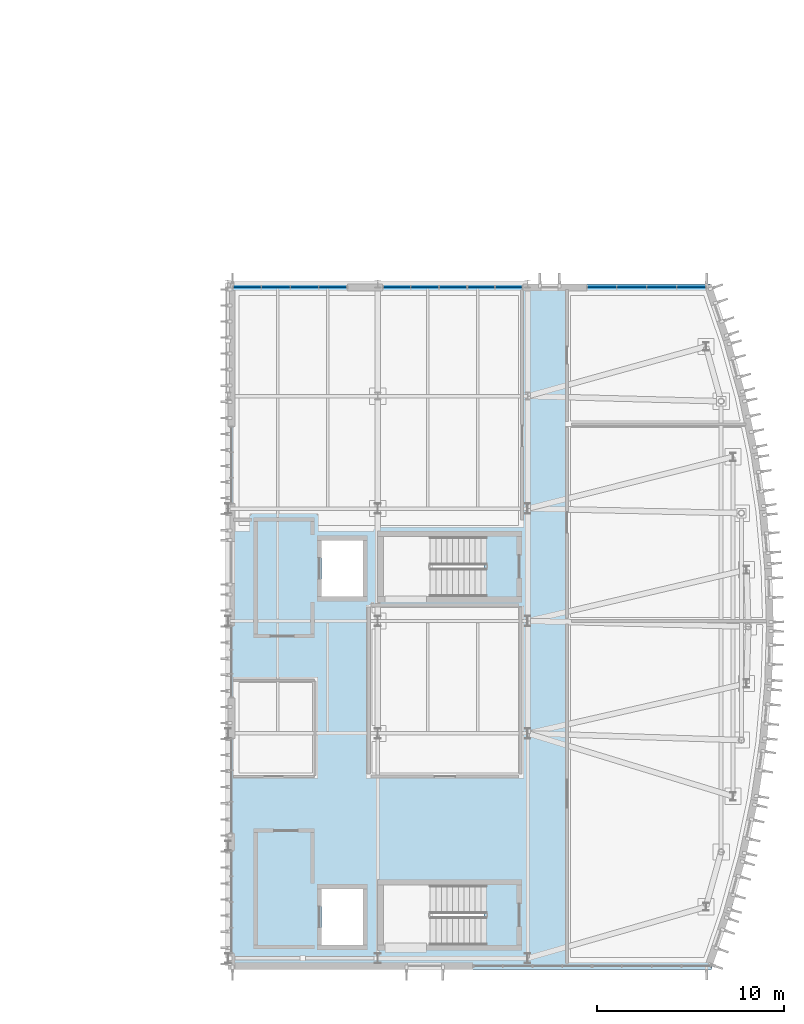
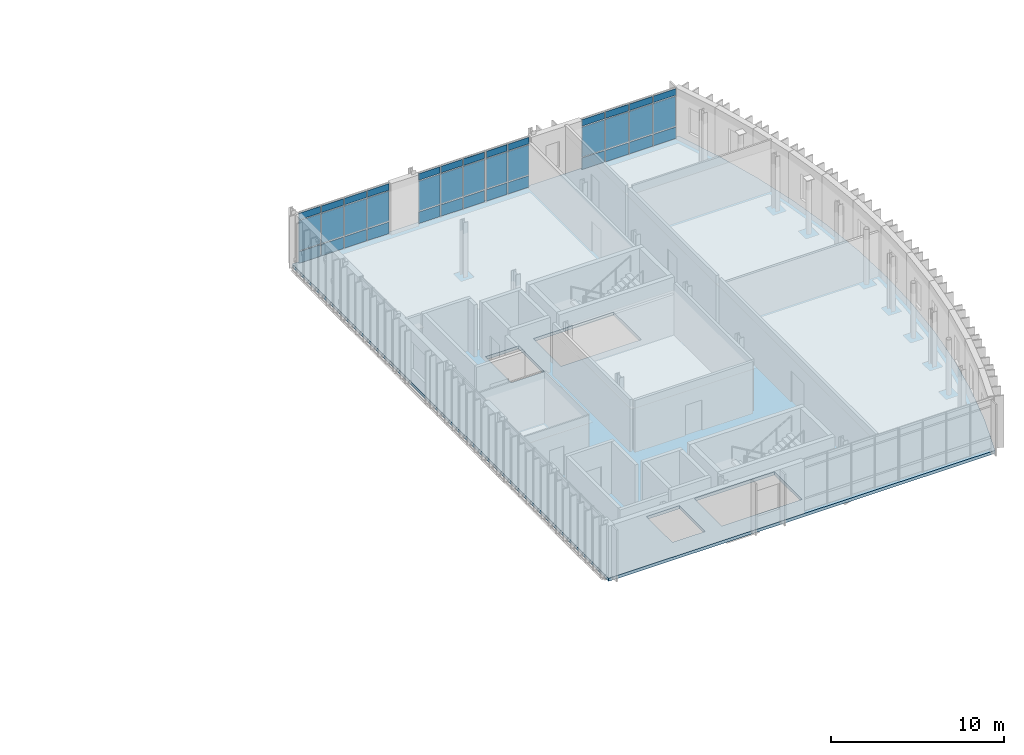
# One storey, part 20 of 43: 39 plates, 1 slab, 4 elements without a shape of their own.
"""IFC4 building model written with IfcOpenShell, lengths in metres."""

from ifc_helpers import new_model, si_unit, direction, frame, origin, origin_2d, place, context, subcontext, project, spatial, polyline, rectangle, outline, extrude, material, layer, layer_set, type_object, element, aggregate, save


model = new_model("IFC4")

# Units and contexts
model_context = context("Model", 3, precision=1e-05, world=origin(), true_north=direction((0.0, 1.0)))
body_context = subcontext(model_context, "Body", "Model", "MODEL_VIEW")
ifc_project = project(units=[si_unit("LENGTHUNIT", "METRE"), si_unit("AREAUNIT", "SQUARE_METRE"), si_unit("VOLUMEUNIT", "CUBIC_METRE"), si_unit("PLANEANGLEUNIT", "RADIAN"), si_unit("MASSUNIT", "GRAM", prefix="KILO")], contexts=[model_context])

# Site, building, storey
site_placement = place(None, origin())
site = spatial("IfcSite", under=ifc_project, at=site_placement, CompositionType="ELEMENT")
building_placement = place(site_placement, origin())
building = spatial("IfcBuilding", under=site, at=building_placement, Name="Cymarion Research Institute", CompositionType="ELEMENT")
storey_placement = place(building_placement, frame((0.0, 0.0, 22.800048828125)))
storey = spatial("IfcBuildingStorey", under=building, at=storey_placement, Name="L05", CompositionType="ELEMENT", Elevation=22.800048828125)

# Slab
ifc_material_1 = material(Name="Concrete C35/45", Category="concrete")
ifc_layer_1 = layer(ifc_material_1, 0.219970703125)
ifc_layer_set_1 = layer_set([ifc_layer_1], Name="Concrete C35/45")
slab_type = type_object("IfcSlabType", Name="COMPOSITE FLOOR SLAB SL-FL220 220MM", PredefinedType="FLOOR", material=ifc_layer_set_1)
slab_placement = place(storey_placement, frame((0.0, 0.0, -0.219970703125)))
element("IfcSlab", 1, at=slab_placement, inside=storey, type_object=slab_type, Name="L05 V1 floor slab", PredefinedType="FLOOR", context=body_context, shape_type="SweptSolid", body=[
    extrude(outline(polyline([(138.60009765625, 4.89990234375), (164.39990234375, 4.89990234375), (165.40869140625, 7.848388671875), (166.2392578125, 10.85205078125), (166.88818359375, 13.900146484375), (167.353271484375, 16.9814453125), (167.633056640625, 20.085205078125), (167.7265625, 23.199951171875), (167.633056640625, 26.31494140625), (167.353271484375, 29.418701171875), (166.88818359375, 32.5), (166.2392578125, 35.5478515625), (165.40869140625, 38.551513671875), (164.39990234375, 41.5), (138.60009765625, 41.5), (138.60009765625, 4.89990234375)]), holes=[polyline([(152.260009765625, 9.39990234375), (146.89990234375, 9.39990234375), (146.89990234375, 6.199951171875), (152.260009765625, 6.199951171875), (152.260009765625, 9.39990234375)]), polyline([(143.60009765625, 6.199951171875), (145.800048828125, 6.199951171875), (145.800048828125, 9.199951171875), (143.60009765625, 9.199951171875), (143.60009765625, 6.199951171875)]), polyline([(152.260009765625, 28.0), (146.89990234375, 28.0), (146.89990234375, 24.800048828125), (152.260009765625, 24.800048828125), (152.260009765625, 28.0)]), polyline([(143.60009765625, 24.800048828125), (145.800048828125, 24.800048828125), (145.800048828125, 27.800048828125), (143.60009765625, 27.800048828125), (143.60009765625, 24.800048828125)])]), origin(), (0.0, 0.0, 1.0), 0.219970703125),
])

# Curtain wall, plates
ifc_material_2 = material(Name="Anodised aluminium unitised curtain wall with Low-E glazing", Category="aluminium")
curtain_wall_type_1 = type_object("IfcCurtainWallType", Name="UNITISED CURTAIN WALL CW47 6390X3640", PredefinedType="NOTDEFINED", material=ifc_material_2)
curtain_wall_1_placement = place(storey_placement, origin())
curtain_wall_1 = element("IfcCurtainWall", 2, at=curtain_wall_1_placement, inside=storey, type_object=curtain_wall_type_1, Name="L05 V1 unitised curtain wall CW47 #202", PredefinedType="NOTDEFINED")
ifc_material_3 = material(Name="Insulated anodised aluminium spandrel panel", Category="aluminium")
ifc_layer_2 = layer(ifc_material_3, 0.06005859375)
ifc_layer_set_2 = layer_set([ifc_layer_2], Name="Insulated anodised aluminium spandrel panel")
plate_type_1 = type_object("IfcPlateType", Name="INSULATED ALUMINIUM SPANDREL PANEL SP01 60MM", PredefinedType="SHEET", material=ifc_layer_set_2)
plate_1_placement = place(storey_placement, frame((163.3330078125, 41.31005859375, 0.059814453125), z_axis=(0.0, 0.0, 1.0), x_axis=(-1.0, 0.0, 0.0)))
plate_1 = element("IfcPlate", 3, at=plate_1_placement, type_object=plate_type_1, Name="CW47 panel 1.1", PredefinedType="SHEET", context=body_context, shape_type="SweptSolid", body=[
    extrude(rectangle(XDim=1.506591796875, YDim=0.06005859375, at=origin_2d()), origin(), (0.0, 0.0, 1.0), 0.81005859375),
])
plate_2_placement = place(storey_placement, frame((163.3330078125, 41.31005859375, 3.119873046875), z_axis=(0.0, 0.0, 1.0), x_axis=(-1.0, 0.0, 0.0)))
plate_2 = element("IfcPlate", 4, at=plate_2_placement, type_object=plate_type_1, Name="CW47 panel 1.3", PredefinedType="SHEET", context=body_context, shape_type="SweptSolid", body=[
    extrude(rectangle(XDim=1.506591796875, YDim=0.06005859375, at=origin_2d()), origin(), (0.0, 0.0, 1.0), 0.4599609375),
])
plate_3_placement = place(storey_placement, frame((161.75146484375, 41.31005859375, 0.059814453125), z_axis=(0.0, 0.0, 1.0), x_axis=(-1.0, 0.0, 0.0)))
plate_3 = element("IfcPlate", 5, at=plate_3_placement, type_object=plate_type_1, Name="CW47 panel 2.1", PredefinedType="SHEET", context=body_context, shape_type="SweptSolid", body=[
    extrude(rectangle(XDim=1.53662109375, YDim=0.06005859375, at=origin_2d()), origin(), (0.0, 0.0, 1.0), 0.81005859375),
])
plate_4_placement = place(storey_placement, frame((161.75146484375, 41.31005859375, 3.119873046875), z_axis=(0.0, 0.0, 1.0), x_axis=(-1.0, 0.0, 0.0)))
plate_4 = element("IfcPlate", 6, at=plate_4_placement, type_object=plate_type_1, Name="CW47 panel 2.3", PredefinedType="SHEET", context=body_context, shape_type="SweptSolid", body=[
    extrude(rectangle(XDim=1.53662109375, YDim=0.06005859375, at=origin_2d()), origin(), (0.0, 0.0, 1.0), 0.4599609375),
])
plate_5_placement = place(storey_placement, frame((160.15478515625, 41.31005859375, 0.059814453125), z_axis=(0.0, 0.0, 1.0), x_axis=(-1.0, 0.0, 0.0)))
plate_5 = element("IfcPlate", 7, at=plate_5_placement, type_object=plate_type_1, Name="CW47 panel 3.1", PredefinedType="SHEET", context=body_context, shape_type="SweptSolid", body=[
    extrude(rectangle(XDim=1.53662109375, YDim=0.06005859375, at=origin_2d()), origin(), (0.0, 0.0, 1.0), 0.81005859375),
])
plate_6_placement = place(storey_placement, frame((160.15478515625, 41.31005859375, 3.119873046875), z_axis=(0.0, 0.0, 1.0), x_axis=(-1.0, 0.0, 0.0)))
plate_6 = element("IfcPlate", 8, at=plate_6_placement, type_object=plate_type_1, Name="CW47 panel 3.3", PredefinedType="SHEET", context=body_context, shape_type="SweptSolid", body=[
    extrude(rectangle(XDim=1.53662109375, YDim=0.06005859375, at=origin_2d()), origin(), (0.0, 0.0, 1.0), 0.4599609375),
])
plate_7_placement = place(storey_placement, frame((158.5732421875, 41.31005859375, 0.059814453125), z_axis=(0.0, 0.0, 1.0), x_axis=(-1.0, 0.0, 0.0)))
plate_7 = element("IfcPlate", 9, at=plate_7_placement, type_object=plate_type_1, Name="CW47 panel 4.1", PredefinedType="SHEET", context=body_context, shape_type="SweptSolid", body=[
    extrude(rectangle(XDim=1.506591796875, YDim=0.06005859375, at=origin_2d()), origin(), (0.0, 0.0, 1.0), 0.81005859375),
])
plate_8_placement = place(storey_placement, frame((158.5732421875, 41.31005859375, 3.119873046875), z_axis=(0.0, 0.0, 1.0), x_axis=(-1.0, 0.0, 0.0)))
plate_8 = element("IfcPlate", 10, at=plate_8_placement, type_object=plate_type_1, Name="CW47 panel 4.3", PredefinedType="SHEET", context=body_context, shape_type="SweptSolid", body=[
    extrude(rectangle(XDim=1.506591796875, YDim=0.06005859375, at=origin_2d()), origin(), (0.0, 0.0, 1.0), 0.4599609375),
])

curtain_wall_type_2 = type_object("IfcCurtainWallType", Name="UNITISED CURTAIN WALL CW48 2970X3640", PredefinedType="NOTDEFINED", material=ifc_material_2)
curtain_wall_2_placement = place(storey_placement, origin())
curtain_wall_2 = element("IfcCurtainWall", 11, at=curtain_wall_2_placement, inside=storey, type_object=curtain_wall_type_2, Name="L05 V1 unitised curtain wall CW48 #203", PredefinedType="NOTDEFINED")
plate_9_placement = place(storey_placement, frame((153.583251953125, 41.31005859375, 0.059814453125), z_axis=(0.0, 0.0, 1.0), x_axis=(-1.0, 0.0, 0.0)))
plate_9 = element("IfcPlate", 12, at=plate_9_placement, type_object=plate_type_1, Name="CW48 panel 1.1", PredefinedType="SHEET", context=body_context, shape_type="SweptSolid", body=[
    extrude(rectangle(XDim=1.393310546875, YDim=0.06005859375, at=origin_2d()), origin(), (0.0, 0.0, 1.0), 0.81005859375),
])
plate_10_placement = place(storey_placement, frame((153.583251953125, 41.31005859375, 3.119873046875), z_axis=(0.0, 0.0, 1.0), x_axis=(-1.0, 0.0, 0.0)))
plate_10 = element("IfcPlate", 13, at=plate_10_placement, type_object=plate_type_1, Name="CW48 panel 1.3", PredefinedType="SHEET", context=body_context, shape_type="SweptSolid", body=[
    extrude(rectangle(XDim=1.393310546875, YDim=0.06005859375, at=origin_2d()), origin(), (0.0, 0.0, 1.0), 0.4599609375),
])
plate_11_placement = place(storey_placement, frame((152.1298828125, 41.31005859375, 0.059814453125), z_axis=(0.0, 0.0, 1.0), x_axis=(-1.0, 0.0, 0.0)))
plate_11 = element("IfcPlate", 14, at=plate_11_placement, type_object=plate_type_1, Name="CW48 panel 2.1", PredefinedType="SHEET", context=body_context, shape_type="SweptSolid", body=[
    extrude(rectangle(XDim=1.393310546875, YDim=0.06005859375, at=origin_2d()), origin(), (0.0, 0.0, 1.0), 0.81005859375),
])
plate_12_placement = place(storey_placement, frame((152.1298828125, 41.31005859375, 3.119873046875), z_axis=(0.0, 0.0, 1.0), x_axis=(-1.0, 0.0, 0.0)))
plate_12 = element("IfcPlate", 15, at=plate_12_placement, type_object=plate_type_1, Name="CW48 panel 2.3", PredefinedType="SHEET", context=body_context, shape_type="SweptSolid", body=[
    extrude(rectangle(XDim=1.393310546875, YDim=0.06005859375, at=origin_2d()), origin(), (0.0, 0.0, 1.0), 0.4599609375),
])

curtain_wall_type_3 = type_object("IfcCurtainWallType", Name="UNITISED CURTAIN WALL CW49 4510X3640", PredefinedType="NOTDEFINED", material=ifc_material_2)
curtain_wall_3_placement = place(storey_placement, origin())
curtain_wall_3 = element("IfcCurtainWall", 16, at=curtain_wall_3_placement, inside=storey, type_object=curtain_wall_type_3, Name="L05 V1 unitised curtain wall CW49 #204", PredefinedType="NOTDEFINED")
plate_13_placement = place(storey_placement, frame((150.60595703125, 41.31005859375, 0.059814453125), z_axis=(0.0, 0.0, 1.0), x_axis=(-1.0, 0.0, 0.0)))
plate_13 = element("IfcPlate", 17, at=plate_13_placement, type_object=plate_type_1, Name="CW49 panel 1.1", PredefinedType="SHEET", context=body_context, shape_type="SweptSolid", body=[
    extrude(rectangle(XDim=1.414306640625, YDim=0.06005859375, at=origin_2d()), origin(), (0.0, 0.0, 1.0), 0.81005859375),
])
plate_14_placement = place(storey_placement, frame((150.60595703125, 41.31005859375, 3.119873046875), z_axis=(0.0, 0.0, 1.0), x_axis=(-1.0, 0.0, 0.0)))
plate_14 = element("IfcPlate", 18, at=plate_14_placement, type_object=plate_type_1, Name="CW49 panel 1.3", PredefinedType="SHEET", context=body_context, shape_type="SweptSolid", body=[
    extrude(rectangle(XDim=1.414306640625, YDim=0.06005859375, at=origin_2d()), origin(), (0.0, 0.0, 1.0), 0.4599609375),
])
plate_15_placement = place(storey_placement, frame((149.11669921875, 41.31005859375, 0.059814453125), z_axis=(0.0, 0.0, 1.0), x_axis=(-1.0, 0.0, 0.0)))
plate_15 = element("IfcPlate", 19, at=plate_15_placement, type_object=plate_type_1, Name="CW49 panel 2.1", PredefinedType="SHEET", context=body_context, shape_type="SweptSolid", body=[
    extrude(rectangle(XDim=1.4443359375, YDim=0.06005859375, at=origin_2d()), origin(), (0.0, 0.0, 1.0), 0.81005859375),
])
plate_16_placement = place(storey_placement, frame((149.11669921875, 41.31005859375, 3.119873046875), z_axis=(0.0, 0.0, 1.0), x_axis=(-1.0, 0.0, 0.0)))
plate_16 = element("IfcPlate", 20, at=plate_16_placement, type_object=plate_type_1, Name="CW49 panel 2.3", PredefinedType="SHEET", context=body_context, shape_type="SweptSolid", body=[
    extrude(rectangle(XDim=1.4443359375, YDim=0.06005859375, at=origin_2d()), origin(), (0.0, 0.0, 1.0), 0.4599609375),
])
plate_17_placement = place(storey_placement, frame((147.627197265625, 41.31005859375, 0.059814453125), z_axis=(0.0, 0.0, 1.0), x_axis=(-1.0, 0.0, 0.0)))
plate_17 = element("IfcPlate", 21, at=plate_17_placement, type_object=plate_type_1, Name="CW49 panel 3.1", PredefinedType="SHEET", context=body_context, shape_type="SweptSolid", body=[
    extrude(rectangle(XDim=1.414306640625, YDim=0.06005859375, at=origin_2d()), origin(), (0.0, 0.0, 1.0), 0.81005859375),
])
plate_18_placement = place(storey_placement, frame((147.627197265625, 41.31005859375, 3.119873046875), z_axis=(0.0, 0.0, 1.0), x_axis=(-1.0, 0.0, 0.0)))
plate_18 = element("IfcPlate", 22, at=plate_18_placement, type_object=plate_type_1, Name="CW49 panel 3.3", PredefinedType="SHEET", context=body_context, shape_type="SweptSolid", body=[
    extrude(rectangle(XDim=1.414306640625, YDim=0.06005859375, at=origin_2d()), origin(), (0.0, 0.0, 1.0), 0.4599609375),
])

curtain_wall_type_4 = type_object("IfcCurtainWallType", Name="UNITISED CURTAIN WALL CW50 6130X3640", PredefinedType="NOTDEFINED", material=ifc_material_2)
curtain_wall_4_placement = place(storey_placement, origin())
curtain_wall_4 = element("IfcCurtainWall", 23, at=curtain_wall_4_placement, inside=storey, type_object=curtain_wall_type_4, Name="L05 V1 unitised curtain wall CW50 #205", PredefinedType="NOTDEFINED")
plate_19_placement = place(storey_placement, frame((144.205810546875, 41.31005859375, 0.059814453125), z_axis=(0.0, 0.0, 1.0), x_axis=(-1.0, 0.0, 0.0)))
plate_19 = element("IfcPlate", 24, at=plate_19_placement, type_object=plate_type_1, Name="CW50 panel 1.1", PredefinedType="SHEET", context=body_context, shape_type="SweptSolid", body=[
    extrude(rectangle(XDim=1.441650390625, YDim=0.06005859375, at=origin_2d()), origin(), (0.0, 0.0, 1.0), 0.81005859375),
])
plate_20_placement = place(storey_placement, frame((144.205810546875, 41.31005859375, 3.119873046875), z_axis=(0.0, 0.0, 1.0), x_axis=(-1.0, 0.0, 0.0)))
plate_20 = element("IfcPlate", 25, at=plate_20_placement, type_object=plate_type_1, Name="CW50 panel 1.3", PredefinedType="SHEET", context=body_context, shape_type="SweptSolid", body=[
    extrude(rectangle(XDim=1.441650390625, YDim=0.06005859375, at=origin_2d()), origin(), (0.0, 0.0, 1.0), 0.4599609375),
])
plate_21_placement = place(storey_placement, frame((142.689208984375, 41.31005859375, 0.059814453125), z_axis=(0.0, 0.0, 1.0), x_axis=(-1.0, 0.0, 0.0)))
plate_21 = element("IfcPlate", 26, at=plate_21_placement, type_object=plate_type_1, Name="CW50 panel 2.1", PredefinedType="SHEET", context=body_context, shape_type="SweptSolid", body=[
    extrude(rectangle(XDim=1.4716796875, YDim=0.06005859375, at=origin_2d()), origin(), (0.0, 0.0, 1.0), 0.81005859375),
])
plate_22_placement = place(storey_placement, frame((142.689208984375, 41.31005859375, 3.119873046875), z_axis=(0.0, 0.0, 1.0), x_axis=(-1.0, 0.0, 0.0)))
plate_22 = element("IfcPlate", 27, at=plate_22_placement, type_object=plate_type_1, Name="CW50 panel 2.3", PredefinedType="SHEET", context=body_context, shape_type="SweptSolid", body=[
    extrude(rectangle(XDim=1.4716796875, YDim=0.06005859375, at=origin_2d()), origin(), (0.0, 0.0, 1.0), 0.4599609375),
])
plate_23_placement = place(storey_placement, frame((141.157470703125, 41.31005859375, 0.059814453125), z_axis=(0.0, 0.0, 1.0), x_axis=(-1.0, 0.0, 0.0)))
plate_23 = element("IfcPlate", 28, at=plate_23_placement, type_object=plate_type_1, Name="CW50 panel 3.1", PredefinedType="SHEET", context=body_context, shape_type="SweptSolid", body=[
    extrude(rectangle(XDim=1.4716796875, YDim=0.06005859375, at=origin_2d()), origin(), (0.0, 0.0, 1.0), 0.81005859375),
])
plate_24_placement = place(storey_placement, frame((141.157470703125, 41.31005859375, 3.119873046875), z_axis=(0.0, 0.0, 1.0), x_axis=(-1.0, 0.0, 0.0)))
plate_24 = element("IfcPlate", 29, at=plate_24_placement, type_object=plate_type_1, Name="CW50 panel 3.3", PredefinedType="SHEET", context=body_context, shape_type="SweptSolid", body=[
    extrude(rectangle(XDim=1.4716796875, YDim=0.06005859375, at=origin_2d()), origin(), (0.0, 0.0, 1.0), 0.4599609375),
])
plate_25_placement = place(storey_placement, frame((139.640869140625, 41.31005859375, 0.059814453125), z_axis=(0.0, 0.0, 1.0), x_axis=(-1.0, 0.0, 0.0)))
plate_25 = element("IfcPlate", 30, at=plate_25_placement, type_object=plate_type_1, Name="CW50 panel 4.1", PredefinedType="SHEET", context=body_context, shape_type="SweptSolid", body=[
    extrude(rectangle(XDim=1.441650390625, YDim=0.06005859375, at=origin_2d()), origin(), (0.0, 0.0, 1.0), 0.81005859375),
])
plate_26_placement = place(storey_placement, frame((139.640869140625, 41.31005859375, 3.119873046875), z_axis=(0.0, 0.0, 1.0), x_axis=(-1.0, 0.0, 0.0)))
plate_26 = element("IfcPlate", 31, at=plate_26_placement, type_object=plate_type_1, Name="CW50 panel 4.3", PredefinedType="SHEET", context=body_context, shape_type="SweptSolid", body=[
    extrude(rectangle(XDim=1.441650390625, YDim=0.06005859375, at=origin_2d()), origin(), (0.0, 0.0, 1.0), 0.4599609375),
])

# Plate
ifc_material_4 = material(Name="Low-E double solar-control glazing", Category="glass")
ifc_layer_3 = layer(ifc_material_4, 0.035888671875)
ifc_layer_set_3 = layer_set([ifc_layer_3], Name="Low-E double solar-control glazing")
plate_type_2 = type_object("IfcPlateType", Name="SOLAR CONTROL GLAZED VISION PANEL GP01 36MM", PredefinedType="CURTAIN_PANEL", material=ifc_layer_set_3)
plate_27_placement = place(storey_placement, frame((163.3330078125, 41.31005859375, 0.929931640625), z_axis=(0.0, 0.0, 1.0), x_axis=(-1.0, 0.0, 0.0)))
plate_27 = element("IfcPlate", 32, at=plate_27_placement, type_object=plate_type_2, Name="CW47 panel 1.2", PredefinedType="CURTAIN_PANEL", context=body_context, shape_type="SweptSolid", body=[
    extrude(rectangle(XDim=1.506591796875, YDim=0.035888671875, at=origin_2d()), origin(), (0.0, 0.0, 1.0), 2.1298828125),
])

plate_28_placement = place(storey_placement, frame((161.75146484375, 41.31005859375, 0.929931640625), z_axis=(0.0, 0.0, 1.0), x_axis=(-1.0, 0.0, 0.0)))
plate_28 = element("IfcPlate", 33, at=plate_28_placement, type_object=plate_type_2, Name="CW47 panel 2.2", PredefinedType="CURTAIN_PANEL", context=body_context, shape_type="SweptSolid", body=[
    extrude(rectangle(XDim=1.53662109375, YDim=0.035888671875, at=origin_2d()), origin(), (0.0, 0.0, 1.0), 2.1298828125),
])

plate_29_placement = place(storey_placement, frame((160.15478515625, 41.31005859375, 0.929931640625), z_axis=(0.0, 0.0, 1.0), x_axis=(-1.0, 0.0, 0.0)))
plate_29 = element("IfcPlate", 34, at=plate_29_placement, type_object=plate_type_2, Name="CW47 panel 3.2", PredefinedType="CURTAIN_PANEL", context=body_context, shape_type="SweptSolid", body=[
    extrude(rectangle(XDim=1.53662109375, YDim=0.035888671875, at=origin_2d()), origin(), (0.0, 0.0, 1.0), 2.1298828125),
])

plate_30_placement = place(storey_placement, frame((158.5732421875, 41.31005859375, 0.929931640625), z_axis=(0.0, 0.0, 1.0), x_axis=(-1.0, 0.0, 0.0)))
plate_30 = element("IfcPlate", 35, at=plate_30_placement, type_object=plate_type_2, Name="CW47 panel 4.2", PredefinedType="CURTAIN_PANEL", context=body_context, shape_type="SweptSolid", body=[
    extrude(rectangle(XDim=1.506591796875, YDim=0.035888671875, at=origin_2d()), origin(), (0.0, 0.0, 1.0), 2.1298828125),
])

aggregate(curtain_wall_1, [plate_1, plate_27, plate_2, plate_3, plate_28, plate_4, plate_5, plate_29, plate_6, plate_7, plate_30, plate_8])

plate_31_placement = place(storey_placement, frame((153.583251953125, 41.31005859375, 0.929931640625), z_axis=(0.0, 0.0, 1.0), x_axis=(-1.0, 0.0, 0.0)))
plate_31 = element("IfcPlate", 36, at=plate_31_placement, type_object=plate_type_2, Name="CW48 panel 1.2", PredefinedType="CURTAIN_PANEL", context=body_context, shape_type="SweptSolid", body=[
    extrude(rectangle(XDim=1.393310546875, YDim=0.035888671875, at=origin_2d()), origin(), (0.0, 0.0, 1.0), 2.1298828125),
])

plate_32_placement = place(storey_placement, frame((152.1298828125, 41.31005859375, 0.929931640625), z_axis=(0.0, 0.0, 1.0), x_axis=(-1.0, 0.0, 0.0)))
plate_32 = element("IfcPlate", 37, at=plate_32_placement, type_object=plate_type_2, Name="CW48 panel 2.2", PredefinedType="CURTAIN_PANEL", context=body_context, shape_type="SweptSolid", body=[
    extrude(rectangle(XDim=1.393310546875, YDim=0.035888671875, at=origin_2d()), origin(), (0.0, 0.0, 1.0), 2.1298828125),
])

aggregate(curtain_wall_2, [plate_9, plate_31, plate_10, plate_11, plate_32, plate_12])

plate_33_placement = place(storey_placement, frame((150.60595703125, 41.31005859375, 0.929931640625), z_axis=(0.0, 0.0, 1.0), x_axis=(-1.0, 0.0, 0.0)))
plate_33 = element("IfcPlate", 38, at=plate_33_placement, type_object=plate_type_2, Name="CW49 panel 1.2", PredefinedType="CURTAIN_PANEL", context=body_context, shape_type="SweptSolid", body=[
    extrude(rectangle(XDim=1.414306640625, YDim=0.035888671875, at=origin_2d()), origin(), (0.0, 0.0, 1.0), 2.1298828125),
])

plate_34_placement = place(storey_placement, frame((149.11669921875, 41.31005859375, 0.929931640625), z_axis=(0.0, 0.0, 1.0), x_axis=(-1.0, 0.0, 0.0)))
plate_34 = element("IfcPlate", 39, at=plate_34_placement, type_object=plate_type_2, Name="CW49 panel 2.2", PredefinedType="CURTAIN_PANEL", context=body_context, shape_type="SweptSolid", body=[
    extrude(rectangle(XDim=1.4443359375, YDim=0.035888671875, at=origin_2d()), origin(), (0.0, 0.0, 1.0), 2.1298828125),
])

plate_35_placement = place(storey_placement, frame((147.627197265625, 41.31005859375, 0.929931640625), z_axis=(0.0, 0.0, 1.0), x_axis=(-1.0, 0.0, 0.0)))
plate_35 = element("IfcPlate", 40, at=plate_35_placement, type_object=plate_type_2, Name="CW49 panel 3.2", PredefinedType="CURTAIN_PANEL", context=body_context, shape_type="SweptSolid", body=[
    extrude(rectangle(XDim=1.414306640625, YDim=0.035888671875, at=origin_2d()), origin(), (0.0, 0.0, 1.0), 2.1298828125),
])

aggregate(curtain_wall_3, [plate_13, plate_33, plate_14, plate_15, plate_34, plate_16, plate_17, plate_35, plate_18])

plate_36_placement = place(storey_placement, frame((144.205810546875, 41.31005859375, 0.929931640625), z_axis=(0.0, 0.0, 1.0), x_axis=(-1.0, 0.0, 0.0)))
plate_36 = element("IfcPlate", 41, at=plate_36_placement, type_object=plate_type_2, Name="CW50 panel 1.2", PredefinedType="CURTAIN_PANEL", context=body_context, shape_type="SweptSolid", body=[
    extrude(rectangle(XDim=1.441650390625, YDim=0.035888671875, at=origin_2d()), origin(), (0.0, 0.0, 1.0), 2.1298828125),
])

plate_37_placement = place(storey_placement, frame((142.689208984375, 41.31005859375, 0.929931640625), z_axis=(0.0, 0.0, 1.0), x_axis=(-1.0, 0.0, 0.0)))
plate_37 = element("IfcPlate", 42, at=plate_37_placement, type_object=plate_type_2, Name="CW50 panel 2.2", PredefinedType="CURTAIN_PANEL", context=body_context, shape_type="SweptSolid", body=[
    extrude(rectangle(XDim=1.4716796875, YDim=0.035888671875, at=origin_2d()), origin(), (0.0, 0.0, 1.0), 2.1298828125),
])

plate_38_placement = place(storey_placement, frame((141.157470703125, 41.31005859375, 0.929931640625), z_axis=(0.0, 0.0, 1.0), x_axis=(-1.0, 0.0, 0.0)))
plate_38 = element("IfcPlate", 43, at=plate_38_placement, type_object=plate_type_2, Name="CW50 panel 3.2", PredefinedType="CURTAIN_PANEL", context=body_context, shape_type="SweptSolid", body=[
    extrude(rectangle(XDim=1.4716796875, YDim=0.035888671875, at=origin_2d()), origin(), (0.0, 0.0, 1.0), 2.1298828125),
])

plate_39_placement = place(storey_placement, frame((139.640869140625, 41.31005859375, 0.929931640625), z_axis=(0.0, 0.0, 1.0), x_axis=(-1.0, 0.0, 0.0)))
plate_39 = element("IfcPlate", 44, at=plate_39_placement, type_object=plate_type_2, Name="CW50 panel 4.2", PredefinedType="CURTAIN_PANEL", context=body_context, shape_type="SweptSolid", body=[
    extrude(rectangle(XDim=1.441650390625, YDim=0.035888671875, at=origin_2d()), origin(), (0.0, 0.0, 1.0), 2.1298828125),
])

aggregate(curtain_wall_4, [plate_19, plate_36, plate_20, plate_21, plate_37, plate_22, plate_23, plate_38, plate_24, plate_25, plate_39, plate_26])

save(model, "model.ifc")
